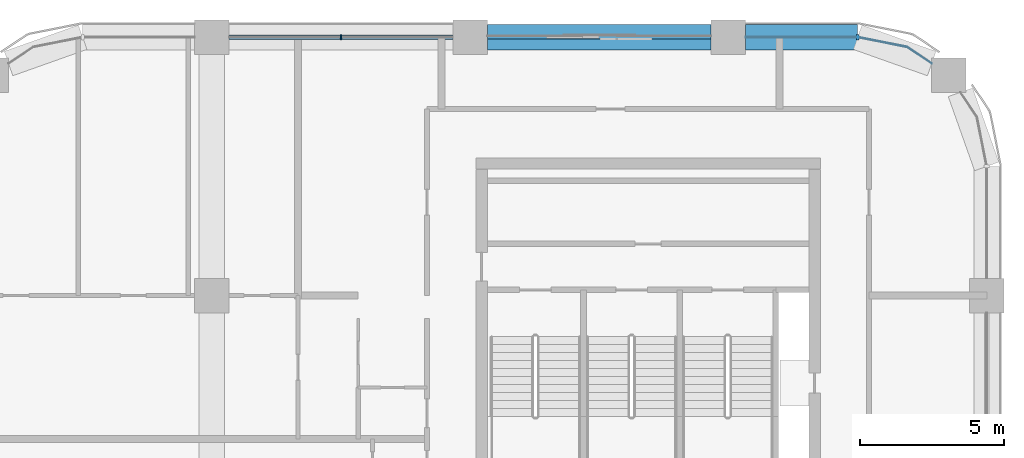
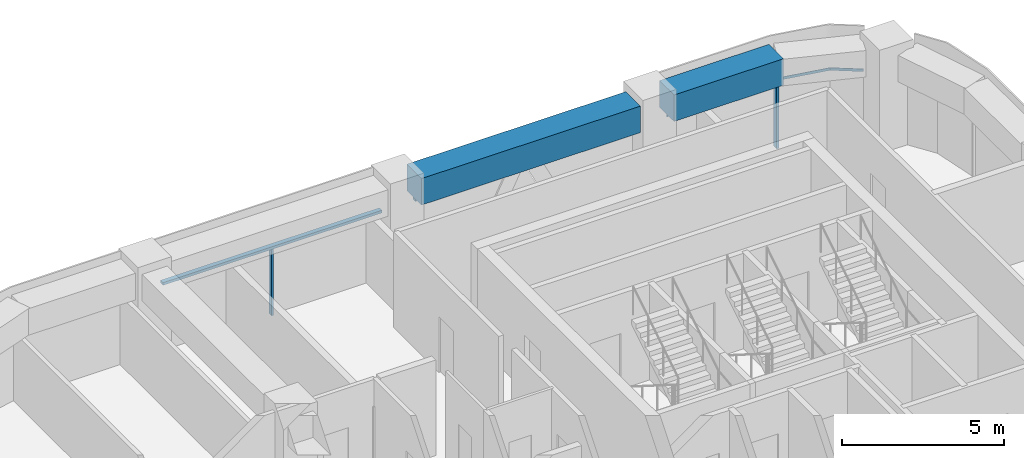
# One storey, part 4 of 10: 5 members, 2 beams, 3 elements without a shape of their own.
"""IFC4 building model written with IfcOpenShell, lengths in metres."""

from ifc_helpers import new_model, si_unit, direction, frame, origin, origin_2d, place, context, subcontext, project, spatial, polyline, rectangle, outline, extrude, material, material_profile, profile_set, type_object, element, aggregate, save


model = new_model("IFC4")

# Units and contexts
model_context = context("Model", 3, precision=1e-05, world=origin(), true_north=direction((0.0, 1.0)))
body_context = subcontext(model_context, "Body", "Model", "MODEL_VIEW")
ifc_project = project(units=[si_unit("LENGTHUNIT", "METRE"), si_unit("AREAUNIT", "SQUARE_METRE"), si_unit("VOLUMEUNIT", "CUBIC_METRE"), si_unit("PLANEANGLEUNIT", "RADIAN"), si_unit("MASSUNIT", "GRAM", prefix="KILO")], contexts=[model_context])

# Site, building, storey
site_placement = place(None, origin())
site = spatial("IfcSite", under=ifc_project, at=site_placement, CompositionType="ELEMENT")
building_placement = place(site_placement, origin())
building = spatial("IfcBuilding", under=site, at=building_placement, Name="Tessera Arch", CompositionType="ELEMENT")
storey_placement = place(building_placement, frame((0.0, 0.0, 254.0)))
storey = spatial("IfcBuildingStorey", under=building, at=storey_placement, Name="L61", CompositionType="ELEMENT", Elevation=254.0)

# Curtain wall, members
ifc_material_1 = material(Name="CW1 curtain wall")
curtain_wall_type_1 = type_object("IfcCurtainWallType", Name="CW1 curtain wall", PredefinedType="NOTDEFINED", material=ifc_material_1)
curtain_wall_1_placement = place(storey_placement, origin())
curtain_wall_1 = element("IfcCurtainWall", 1, at=curtain_wall_1_placement, inside=storey, type_object=curtain_wall_type_1, Name="CW1 curtain wall N54.18/2 L61", PredefinedType="NOTDEFINED")
ifc_material_2 = material(Name="Anodised aluminium pale metal", Category="aluminium")
ifc_material_profile_1 = material_profile(ifc_material_2, rectangle(XDim=0.159912109375, YDim=0.06005859375, at=origin_2d()), Name="AL 60x160")
ifc_profile_set_1 = profile_set([ifc_material_profile_1], Name="Anodised aluminium pale metal")
member_type_1 = type_object("IfcMemberType", Name="CW1 mullion", PredefinedType="MULLION", material=ifc_profile_set_1)
member_1_placement = place(storey_placement, frame((31.5, 54.0, 0.0), z_axis=(0.0, 0.0, 1.0), x_axis=(0.0, -1.0, 0.0)))
member_1 = element("IfcMember", 2, at=member_1_placement, type_object=member_type_1, Name="CW1 mullion N54.18/2 1", PredefinedType="MULLION", context=body_context, shape_type="SweptSolid", body=[
    extrude(rectangle(XDim=0.159912109375, YDim=0.06005859375, at=origin_2d()), origin(), (0.0, 0.0, 1.0), 2.5),
])
ifc_material_3 = material(Name="Anodised aluminium pale metal", Category="aluminium")
ifc_material_profile_2 = material_profile(ifc_material_3, rectangle(XDim=0.159912109375, YDim=0.10009765625, at=origin_2d()), Name="AL 160x100")
ifc_profile_set_2 = profile_set([ifc_material_profile_2], Name="Anodised aluminium pale metal")
member_type_2 = type_object("IfcMemberType", Name="CW1 transom", PredefinedType="USERDEFINED", material=ifc_profile_set_2)
member_2_placement = place(storey_placement, frame((35.39990234375, 54.0, 2.550048828125), z_axis=(-1.0, 0.0, 0.0), x_axis=(0.0, -1.0, 0.0)))
member_2 = element("IfcMember", 3, at=member_2_placement, type_object=member_type_2, Name="CW1 transom N54.18/2 1.1", ObjectType="TRANSOM", PredefinedType="USERDEFINED", context=body_context, shape_type="SweptSolid", body=[
    extrude(rectangle(XDim=0.159912109375, YDim=0.10009765625, at=origin_2d()), origin(), (0.0, 0.0, 1.0), 7.7998046875),
])
aggregate(curtain_wall_1, [member_1, member_2])

ifc_material_4 = material(Name="CW2 curtain wall")
curtain_wall_type_2 = type_object("IfcCurtainWallType", Name="CW2 curtain wall", PredefinedType="NOTDEFINED", material=ifc_material_4)
curtain_wall_2_placement = place(storey_placement, origin())
curtain_wall_2 = element("IfcCurtainWall", 4, at=curtain_wall_2_placement, inside=storey, type_object=curtain_wall_type_2, Name="CW2 curtain wall N54.18/0 L61", PredefinedType="NOTDEFINED")
ifc_material_5 = material(Name="Anodised aluminium pale metal", Category="aluminium")
ifc_material_profile_3 = material_profile(ifc_material_5, rectangle(XDim=0.199951171875, YDim=0.080078125, at=origin_2d()), Name="AL 80x200")
ifc_profile_set_3 = profile_set([ifc_material_profile_3], Name="Anodised aluminium pale metal")
member_type_3 = type_object("IfcMemberType", Name="CW2 mullion", PredefinedType="MULLION", material=ifc_profile_set_3)
member_3_placement = place(storey_placement, frame((49.5, 54.0, 0.0), z_axis=(0.0, 0.0, 1.0), x_axis=(0.0, -1.0, 0.0)))
member_3 = element("IfcMember", 5, at=member_3_placement, type_object=member_type_3, Name="CW2 mullion N54.18/0 1", PredefinedType="MULLION", context=body_context, shape_type="SweptSolid", body=[
    extrude(rectangle(XDim=0.199951171875, YDim=0.080078125, at=origin_2d()), origin(), (0.0, 0.0, 1.0), 2.5),
])
ifc_material_6 = material(Name="Anodised aluminium pale metal", Category="aluminium")
ifc_material_profile_4 = material_profile(ifc_material_6, rectangle(XDim=0.199951171875, YDim=0.10009765625, at=origin_2d()), Name="AL 200x100")
ifc_profile_set_4 = profile_set([ifc_material_profile_4], Name="Anodised aluminium pale metal")
member_type_4 = type_object("IfcMemberType", Name="CW2 transom", PredefinedType="USERDEFINED", material=ifc_profile_set_4)
member_4_placement = place(storey_placement, frame((0.0, 0.0, 2.5)))
member_4 = element("IfcMember", 6, at=member_4_placement, type_object=member_type_4, Name="CW2 transom N54.18/0 1", ObjectType="TRANSOM", PredefinedType="USERDEFINED", context=body_context, shape_type="SweptSolid", body=[
    extrude(outline(polyline([(51.21826171875, 53.648193359375), (52.076416015625, 53.07470703125), (52.087646484375, 53.09130859375), (51.22607421875, 53.6669921875), (49.5009765625, 54.010009765625), (45.60009765625, 54.010009765625), (45.60009765625, 53.989990234375), (49.4990234375, 53.989990234375), (51.21826171875, 53.648193359375)])), origin(), (0.0, 0.0, 1.0), 0.10009765625),
])
aggregate(curtain_wall_2, [member_3, member_4])

# Curtain wall, member
ifc_material_7 = material(Name="CW3 curtain wall")
curtain_wall_type_3 = type_object("IfcCurtainWallType", Name="CW3 curtain wall", PredefinedType="NOTDEFINED", material=ifc_material_7)
curtain_wall_3_placement = place(storey_placement, origin())
curtain_wall_3 = element("IfcCurtainWall", 7, at=curtain_wall_3_placement, inside=storey, type_object=curtain_wall_type_3, Name="CW3 curtain wall N54.18/1 L61", PredefinedType="NOTDEFINED")
ifc_material_8 = material(Name="Anodised aluminium pale metal", Category="aluminium")
ifc_material_profile_5 = material_profile(ifc_material_8, rectangle(XDim=0.139892578125, YDim=0.10009765625, at=origin_2d()), Name="AL 140x100")
ifc_profile_set_5 = profile_set([ifc_material_profile_5], Name="Anodised aluminium pale metal")
member_type_5 = type_object("IfcMemberType", Name="CW3 transom", PredefinedType="USERDEFINED", material=ifc_profile_set_5)
member_5_placement = place(storey_placement, frame((44.39990234375, 54.0, 2.550048828125), z_axis=(-1.0, 0.0, 0.0), x_axis=(0.0, -1.0, 0.0)))
member_5 = element("IfcMember", 8, at=member_5_placement, type_object=member_type_5, Name="CW3 transom N54.18/1 1.1", ObjectType="TRANSOM", PredefinedType="USERDEFINED", context=body_context, shape_type="SweptSolid", body=[
    extrude(rectangle(XDim=0.139892578125, YDim=0.10009765625, at=origin_2d()), origin(), (0.0, 0.0, 1.0), 7.7998046875),
])
aggregate(curtain_wall_3, [member_5])

# Beams
ifc_material_9 = material(Name="Concrete C60/75", Category="concrete")
ifc_material_profile_6 = material_profile(ifc_material_9, rectangle(XDim=0.89990234375, YDim=1.0, at=origin_2d()), Name="RC spandrel beam 900 x 1000 Concrete C60/75")
ifc_profile_set_6 = profile_set([ifc_material_profile_6], Name="Concrete C60/75")
beam_type = type_object("IfcBeamType", Name="RC spandrel beam 900 x 1000 Concrete C60/75", PredefinedType="BEAM", material=ifc_profile_set_6)
beam_1_placement = place(storey_placement, frame((49.5, 54.0, 3.10009765625), z_axis=(-1.0, 0.0, 0.0), x_axis=(0.0, -1.0, 0.0)))
element("IfcBeam", 9, at=beam_1_placement, inside=storey, type_object=beam_type, Name="Spandrel beam L61 N54.18/0.2", PredefinedType="BEAM", context=body_context, shape_type="SweptSolid", body=[
    extrude(rectangle(XDim=0.89990234375, YDim=1.0, at=origin_2d()), origin(), (0.0, 0.0, 1.0), 3.89990234375),
])
beam_2_placement = place(storey_placement, frame((44.39990234375, 54.0, 3.10009765625), z_axis=(-1.0, 0.0, 0.0), x_axis=(0.0, -1.0, 0.0)))
element("IfcBeam", 10, at=beam_2_placement, inside=storey, type_object=beam_type, Name="Spandrel beam L61 N54.18/1", PredefinedType="BEAM", context=body_context, shape_type="SweptSolid", body=[
    extrude(rectangle(XDim=0.89990234375, YDim=1.0, at=origin_2d()), origin(), (0.0, 0.0, 1.0), 7.7998046875),
])

save(model, "model.ifc")
